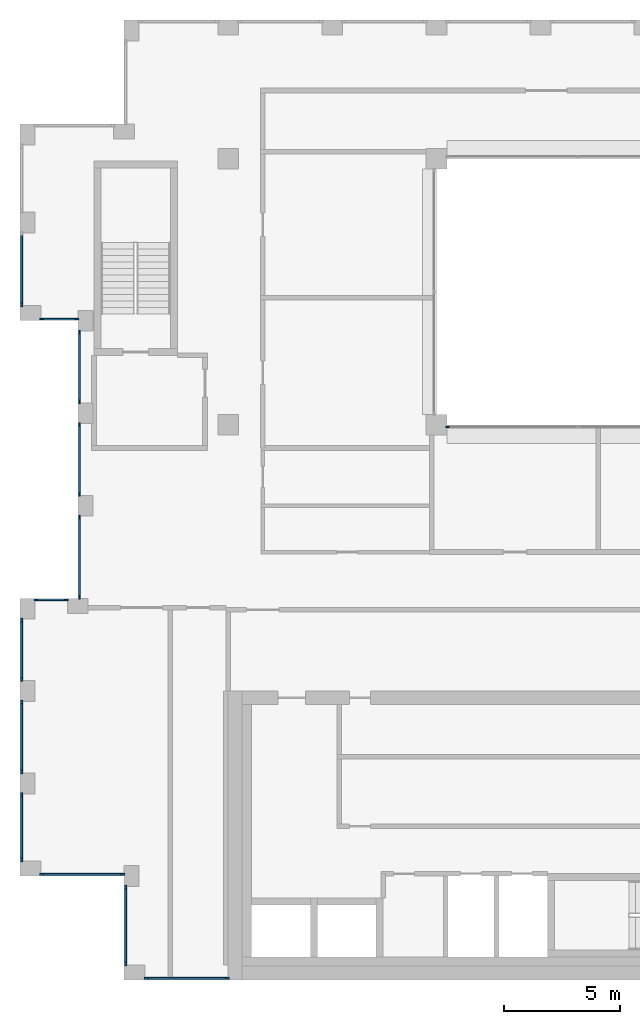
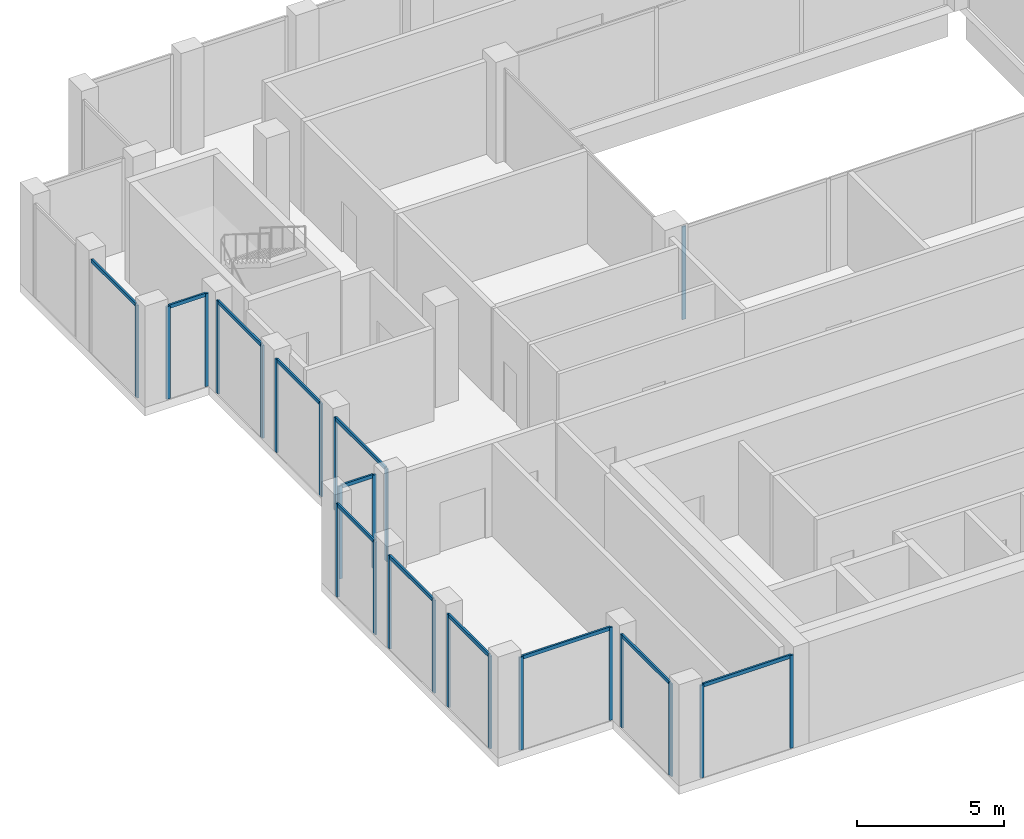
# One storey, part 2 of 15: 36 members, 13 elements without a shape of their own.
"""IFC4 building model written with IfcOpenShell, lengths in metres."""

from ifc_helpers import new_model, si_unit, direction, frame, origin, origin_2d, place, context, subcontext, project, spatial, rectangle, extrude, material, layer, layer_set, material_profile, profile_set, type_object, element, aggregate, save


model = new_model("IFC4")

# Units and contexts
model_context = context("Model", 3, precision=1e-05, world=origin(), true_north=direction((0.0, 1.0)))
body_context = subcontext(model_context, "Body", "Model", "MODEL_VIEW")
ifc_project = project(units=[si_unit("LENGTHUNIT", "METRE"), si_unit("AREAUNIT", "SQUARE_METRE"), si_unit("VOLUMEUNIT", "CUBIC_METRE"), si_unit("PLANEANGLEUNIT", "RADIAN"), si_unit("MASSUNIT", "GRAM", prefix="KILO")], contexts=[model_context])

# Site, building, storey
site_placement = place(None, origin())
site = spatial("IfcSite", under=ifc_project, at=site_placement, CompositionType="ELEMENT")
building_placement = place(site_placement, origin())
building = spatial("IfcBuilding", under=site, at=building_placement, Name="Brigalow Station Residences", CompositionType="ELEMENT")
storey_placement = place(building_placement, frame((0.0, 0.0, 235.800048828125)))
storey = spatial("IfcBuildingStorey", under=building, at=storey_placement, Name="L68", CompositionType="ELEMENT", Elevation=235.800048828125)

# Curtain wall, member
ifc_material_1 = material(Name="Aluminium", Category="aluminium")
ifc_layer_1 = layer(ifc_material_1, 0.14990234375)
ifc_layer_set_1 = layer_set([ifc_layer_1], Name="ATRIUM FIRE-RATED GLAZING CURTAIN WALL")
curtain_wall_type_1 = type_object("IfcCurtainWallType", Name="ATRIUM FIRE-RATED GLAZING CURTAIN WALL", PredefinedType="NOTDEFINED", material=ifc_layer_set_1)
curtain_wall_1_placement = place(storey_placement, origin())
curtain_wall_1 = element("IfcCurtainWall", 1, at=curtain_wall_1_placement, inside=storey, type_object=curtain_wall_type_1, Name="L68/cw/atrium-S", PredefinedType="NOTDEFINED")
ifc_material_2 = material(Name="Aluminium", Category="aluminium")
ifc_material_profile_1 = material_profile(ifc_material_2, rectangle(XDim=0.06005859375, YDim=0.14990234375, at=origin_2d()), Name="ATRIUM FIRE-RATED GLAZING MULLION 60x150")
ifc_profile_set_1 = profile_set([ifc_material_profile_1], Name="Aluminium")
member_type_1 = type_object("IfcMemberType", Name="ATRIUM FIRE-RATED GLAZING MULLION 60x150", PredefinedType="MULLION", material=ifc_profile_set_1)
member_1_placement = place(storey_placement, frame((27.47998046875, 23.89990234375, 0.0), z_axis=(0.0, 0.0, 1.0), x_axis=(0.0, 1.0, 0.0)))
member_1 = element("IfcMember", 2, at=member_1_placement, type_object=member_type_1, Name="L68/cw/atrium-S/M00", PredefinedType="MULLION", context=body_context, shape_type="SweptSolid", body=[
    extrude(rectangle(XDim=0.06005859375, YDim=0.14990234375, at=origin_2d()), origin(), (0.0, 0.0, 1.0), 3.849853515625),
])
aggregate(curtain_wall_1, [member_1])

# Curtain wall, members
ifc_material_3 = material(Name="Aluminium", Category="aluminium")
ifc_layer_2 = layer(ifc_material_3, 0.14990234375)
ifc_layer_set_2 = layer_set([ifc_layer_2], Name="CROWN CURTAIN WALL")
curtain_wall_type_2 = type_object("IfcCurtainWallType", Name="CROWN CURTAIN WALL", PredefinedType="NOTDEFINED", material=ifc_layer_set_2)
curtain_wall_2_placement = place(storey_placement, origin())
curtain_wall_2 = element("IfcCurtainWall", 3, at=curtain_wall_2_placement, inside=storey, type_object=curtain_wall_type_2, Name="L68/cw/crown-W-L68-1-1", PredefinedType="NOTDEFINED")
ifc_material_4 = material(Name="Aluminium", Category="aluminium")
ifc_material_profile_2 = material_profile(ifc_material_4, rectangle(XDim=0.074951171875, YDim=0.14990234375, at=origin_2d()), Name="CROWN MULLION 75x150")
ifc_profile_set_2 = profile_set([ifc_material_profile_2], Name="Aluminium")
member_type_2 = type_object("IfcMemberType", Name="CROWN MULLION 75x150", PredefinedType="MULLION", material=ifc_profile_set_2)
member_2_placement = place(storey_placement, frame((14.4375, 0.074951171875, 0.0), z_axis=(0.0, 0.0, 1.0), x_axis=(0.0, 1.0, 0.0)))
member_2 = element("IfcMember", 4, at=member_2_placement, type_object=member_type_2, Name="L68/cw/crown-W-L68-1-1/M00", PredefinedType="MULLION", context=body_context, shape_type="SweptSolid", body=[
    extrude(rectangle(XDim=0.074951171875, YDim=0.14990234375, at=origin_2d()), origin(), (0.0, 0.0, 1.0), 3.849853515625),
])
member_3_placement = place(storey_placement, frame((17.96240234375, 0.074951171875, 0.0), z_axis=(0.0, 0.0, 1.0), x_axis=(0.0, 1.0, 0.0)))
member_3 = element("IfcMember", 5, at=member_3_placement, type_object=member_type_2, Name="L68/cw/crown-W-L68-1-1/M01", PredefinedType="MULLION", context=body_context, shape_type="SweptSolid", body=[
    extrude(rectangle(XDim=0.074951171875, YDim=0.14990234375, at=origin_2d()), origin(), (0.0, 0.0, 1.0), 3.849853515625),
])

# Curtain wall, member
curtain_wall_3_placement = place(storey_placement, origin())
curtain_wall_3 = element("IfcCurtainWall", 6, at=curtain_wall_3_placement, inside=storey, type_object=curtain_wall_type_2, Name="L68/cw/crown-W-L68-34-34", PredefinedType="NOTDEFINED")
member_4_placement = place(storey_placement, frame((9.074951171875, 29.1875, 0.0), z_axis=(0.0, 0.0, 1.0), x_axis=(1.0, 0.0, 0.0)))
member_4 = element("IfcMember", 7, at=member_4_placement, type_object=member_type_2, Name="L68/cw/crown-W-L68-34-34/M01", PredefinedType="MULLION", context=body_context, shape_type="SweptSolid", body=[
    extrude(rectangle(XDim=0.074951171875, YDim=0.14990234375, at=origin_2d()), origin(), (0.0, 0.0, 1.0), 3.849853515625),
])

# Curtain wall, members
curtain_wall_4_placement = place(storey_placement, origin())
curtain_wall_4 = element("IfcCurtainWall", 8, at=curtain_wall_4_placement, inside=storey, type_object=curtain_wall_type_2, Name="L68/cw/crown-W-L68-36-35", PredefinedType="NOTDEFINED")
member_5_placement = place(storey_placement, frame((9.9375, 28.574951171875, 0.0), z_axis=(0.0, 0.0, 1.0), x_axis=(0.0, 1.0, 0.0)))
member_5 = element("IfcMember", 9, at=member_5_placement, type_object=member_type_2, Name="L68/cw/crown-W-L68-36-35/M00", PredefinedType="MULLION", context=body_context, shape_type="SweptSolid", body=[
    extrude(rectangle(XDim=0.074951171875, YDim=0.14990234375, at=origin_2d()), origin(), (0.0, 0.0, 1.0), 3.849853515625),
])
member_6_placement = place(storey_placement, frame((11.46240234375, 28.574951171875, 0.0), z_axis=(0.0, 0.0, 1.0), x_axis=(0.0, 1.0, 0.0)))
member_6 = element("IfcMember", 10, at=member_6_placement, type_object=member_type_2, Name="L68/cw/crown-W-L68-36-35/M01", PredefinedType="MULLION", context=body_context, shape_type="SweptSolid", body=[
    extrude(rectangle(XDim=0.074951171875, YDim=0.14990234375, at=origin_2d()), origin(), (0.0, 0.0, 1.0), 3.849853515625),
])

curtain_wall_5_placement = place(storey_placement, origin())
curtain_wall_5 = element("IfcCurtainWall", 11, at=curtain_wall_5_placement, inside=storey, type_object=curtain_wall_type_2, Name="L68/cw/crown-W-L68-37-36", PredefinedType="NOTDEFINED")
member_7_placement = place(storey_placement, frame((11.574951171875, 28.012451171875, 0.0), z_axis=(0.0, 0.0, 1.0), x_axis=(1.0, 0.0, 0.0)))
member_7 = element("IfcMember", 12, at=member_7_placement, type_object=member_type_2, Name="L68/cw/crown-W-L68-37-36/M00", PredefinedType="MULLION", context=body_context, shape_type="SweptSolid", body=[
    extrude(rectangle(XDim=0.074951171875, YDim=0.14990234375, at=origin_2d()), origin(), (0.0, 0.0, 1.0), 3.849853515625),
])
member_8_placement = place(storey_placement, frame((11.574951171875, 24.987548828125, 0.0), z_axis=(0.0, 0.0, 1.0), x_axis=(1.0, 0.0, 0.0)))
member_8 = element("IfcMember", 13, at=member_8_placement, type_object=member_type_2, Name="L68/cw/crown-W-L68-37-36/M01", PredefinedType="MULLION", context=body_context, shape_type="SweptSolid", body=[
    extrude(rectangle(XDim=0.074951171875, YDim=0.14990234375, at=origin_2d()), origin(), (0.0, 0.0, 1.0), 3.849853515625),
])

curtain_wall_6_placement = place(storey_placement, origin())
curtain_wall_6 = element("IfcCurtainWall", 14, at=curtain_wall_6_placement, inside=storey, type_object=curtain_wall_type_2, Name="L68/cw/crown-W-L68-37-37", PredefinedType="NOTDEFINED")
member_9_placement = place(storey_placement, frame((11.574951171875, 24.012451171875, 0.0), z_axis=(0.0, 0.0, 1.0), x_axis=(1.0, 0.0, 0.0)))
member_9 = element("IfcMember", 15, at=member_9_placement, type_object=member_type_2, Name="L68/cw/crown-W-L68-37-37/M00", PredefinedType="MULLION", context=body_context, shape_type="SweptSolid", body=[
    extrude(rectangle(XDim=0.074951171875, YDim=0.14990234375, at=origin_2d()), origin(), (0.0, 0.0, 1.0), 3.849853515625),
])
member_10_placement = place(storey_placement, frame((11.574951171875, 20.987548828125, 0.0), z_axis=(0.0, 0.0, 1.0), x_axis=(1.0, 0.0, 0.0)))
member_10 = element("IfcMember", 16, at=member_10_placement, type_object=member_type_2, Name="L68/cw/crown-W-L68-37-37/M01", PredefinedType="MULLION", context=body_context, shape_type="SweptSolid", body=[
    extrude(rectangle(XDim=0.074951171875, YDim=0.14990234375, at=origin_2d()), origin(), (0.0, 0.0, 1.0), 3.849853515625),
])

curtain_wall_7_placement = place(storey_placement, origin())
curtain_wall_7 = element("IfcCurtainWall", 17, at=curtain_wall_7_placement, inside=storey, type_object=curtain_wall_type_2, Name="L68/cw/crown-W-L68-37-38", PredefinedType="NOTDEFINED")
member_11_placement = place(storey_placement, frame((11.574951171875, 20.012451171875, 0.0), z_axis=(0.0, 0.0, 1.0), x_axis=(1.0, 0.0, 0.0)))
member_11 = element("IfcMember", 18, at=member_11_placement, type_object=member_type_2, Name="L68/cw/crown-W-L68-37-38/M00", PredefinedType="MULLION", context=body_context, shape_type="SweptSolid", body=[
    extrude(rectangle(XDim=0.074951171875, YDim=0.14990234375, at=origin_2d()), origin(), (0.0, 0.0, 1.0), 3.849853515625),
])
member_12_placement = place(storey_placement, frame((11.574951171875, 16.53759765625, 0.0), z_axis=(0.0, 0.0, 1.0), x_axis=(1.0, 0.0, 0.0)))
member_12 = element("IfcMember", 19, at=member_12_placement, type_object=member_type_2, Name="L68/cw/crown-W-L68-37-38/M01", PredefinedType="MULLION", context=body_context, shape_type="SweptSolid", body=[
    extrude(rectangle(XDim=0.074951171875, YDim=0.14990234375, at=origin_2d()), origin(), (0.0, 0.0, 1.0), 3.849853515625),
])

curtain_wall_8_placement = place(storey_placement, origin())
curtain_wall_8 = element("IfcCurtainWall", 20, at=curtain_wall_8_placement, inside=storey, type_object=curtain_wall_type_2, Name="L68/cw/crown-W-L68-40-39", PredefinedType="NOTDEFINED")
member_13_placement = place(storey_placement, frame((11.012451171875, 16.425048828125, 0.0), z_axis=(0.0, 0.0, 1.0), x_axis=(0.0, -1.0, 0.0)))
member_13 = element("IfcMember", 21, at=member_13_placement, type_object=member_type_2, Name="L68/cw/crown-W-L68-40-39/M00", PredefinedType="MULLION", context=body_context, shape_type="SweptSolid", body=[
    extrude(rectangle(XDim=0.074951171875, YDim=0.14990234375, at=origin_2d()), origin(), (0.0, 0.0, 1.0), 3.849853515625),
])
member_14_placement = place(storey_placement, frame((9.6875, 16.425048828125, 0.0), z_axis=(0.0, 0.0, 1.0), x_axis=(0.0, -1.0, 0.0)))
member_14 = element("IfcMember", 22, at=member_14_placement, type_object=member_type_2, Name="L68/cw/crown-W-L68-40-39/M01", PredefinedType="MULLION", context=body_context, shape_type="SweptSolid", body=[
    extrude(rectangle(XDim=0.074951171875, YDim=0.14990234375, at=origin_2d()), origin(), (0.0, 0.0, 1.0), 3.849853515625),
])

curtain_wall_9_placement = place(storey_placement, origin())
curtain_wall_9 = element("IfcCurtainWall", 23, at=curtain_wall_9_placement, inside=storey, type_object=curtain_wall_type_2, Name="L68/cw/crown-W-L68-41-40", PredefinedType="NOTDEFINED")
member_15_placement = place(storey_placement, frame((9.074951171875, 15.5625, 0.0), z_axis=(0.0, 0.0, 1.0), x_axis=(1.0, 0.0, 0.0)))
member_15 = element("IfcMember", 24, at=member_15_placement, type_object=member_type_2, Name="L68/cw/crown-W-L68-41-40/M00", PredefinedType="MULLION", context=body_context, shape_type="SweptSolid", body=[
    extrude(rectangle(XDim=0.074951171875, YDim=0.14990234375, at=origin_2d()), origin(), (0.0, 0.0, 1.0), 3.849853515625),
])
member_16_placement = place(storey_placement, frame((9.074951171875, 12.987548828125, 0.0), z_axis=(0.0, 0.0, 1.0), x_axis=(1.0, 0.0, 0.0)))
member_16 = element("IfcMember", 25, at=member_16_placement, type_object=member_type_2, Name="L68/cw/crown-W-L68-41-40/M01", PredefinedType="MULLION", context=body_context, shape_type="SweptSolid", body=[
    extrude(rectangle(XDim=0.074951171875, YDim=0.14990234375, at=origin_2d()), origin(), (0.0, 0.0, 1.0), 3.849853515625),
])

curtain_wall_10_placement = place(storey_placement, origin())
curtain_wall_10 = element("IfcCurtainWall", 26, at=curtain_wall_10_placement, inside=storey, type_object=curtain_wall_type_2, Name="L68/cw/crown-W-L68-41-41", PredefinedType="NOTDEFINED")
member_17_placement = place(storey_placement, frame((9.074951171875, 12.012451171875, 0.0), z_axis=(0.0, 0.0, 1.0), x_axis=(1.0, 0.0, 0.0)))
member_17 = element("IfcMember", 27, at=member_17_placement, type_object=member_type_2, Name="L68/cw/crown-W-L68-41-41/M00", PredefinedType="MULLION", context=body_context, shape_type="SweptSolid", body=[
    extrude(rectangle(XDim=0.074951171875, YDim=0.14990234375, at=origin_2d()), origin(), (0.0, 0.0, 1.0), 3.849853515625),
])
member_18_placement = place(storey_placement, frame((9.074951171875, 8.987548828125, 0.0), z_axis=(0.0, 0.0, 1.0), x_axis=(1.0, 0.0, 0.0)))
member_18 = element("IfcMember", 28, at=member_18_placement, type_object=member_type_2, Name="L68/cw/crown-W-L68-41-41/M01", PredefinedType="MULLION", context=body_context, shape_type="SweptSolid", body=[
    extrude(rectangle(XDim=0.074951171875, YDim=0.14990234375, at=origin_2d()), origin(), (0.0, 0.0, 1.0), 3.849853515625),
])

curtain_wall_11_placement = place(storey_placement, origin())
curtain_wall_11 = element("IfcCurtainWall", 29, at=curtain_wall_11_placement, inside=storey, type_object=curtain_wall_type_2, Name="L68/cw/crown-W-L68-41-42", PredefinedType="NOTDEFINED")
member_19_placement = place(storey_placement, frame((9.074951171875, 8.012451171875, 0.0), z_axis=(0.0, 0.0, 1.0), x_axis=(1.0, 0.0, 0.0)))
member_19 = element("IfcMember", 30, at=member_19_placement, type_object=member_type_2, Name="L68/cw/crown-W-L68-41-42/M00", PredefinedType="MULLION", context=body_context, shape_type="SweptSolid", body=[
    extrude(rectangle(XDim=0.074951171875, YDim=0.14990234375, at=origin_2d()), origin(), (0.0, 0.0, 1.0), 3.849853515625),
])
member_20_placement = place(storey_placement, frame((9.074951171875, 5.1875, 0.0), z_axis=(0.0, 0.0, 1.0), x_axis=(1.0, 0.0, 0.0)))
member_20 = element("IfcMember", 31, at=member_20_placement, type_object=member_type_2, Name="L68/cw/crown-W-L68-41-42/M01", PredefinedType="MULLION", context=body_context, shape_type="SweptSolid", body=[
    extrude(rectangle(XDim=0.074951171875, YDim=0.14990234375, at=origin_2d()), origin(), (0.0, 0.0, 1.0), 3.849853515625),
])

curtain_wall_12_placement = place(storey_placement, origin())
curtain_wall_12 = element("IfcCurtainWall", 32, at=curtain_wall_12_placement, inside=storey, type_object=curtain_wall_type_2, Name="L68/cw/crown-W-L68-44-43", PredefinedType="NOTDEFINED")
member_21_placement = place(storey_placement, frame((9.9375, 4.574951171875, 0.0), z_axis=(0.0, 0.0, 1.0), x_axis=(0.0, 1.0, 0.0)))
member_21 = element("IfcMember", 33, at=member_21_placement, type_object=member_type_2, Name="L68/cw/crown-W-L68-44-43/M00", PredefinedType="MULLION", context=body_context, shape_type="SweptSolid", body=[
    extrude(rectangle(XDim=0.074951171875, YDim=0.14990234375, at=origin_2d()), origin(), (0.0, 0.0, 1.0), 3.849853515625),
])
member_22_placement = place(storey_placement, frame((13.46240234375, 4.574951171875, 0.0), z_axis=(0.0, 0.0, 1.0), x_axis=(0.0, 1.0, 0.0)))
member_22 = element("IfcMember", 34, at=member_22_placement, type_object=member_type_2, Name="L68/cw/crown-W-L68-44-43/M01", PredefinedType="MULLION", context=body_context, shape_type="SweptSolid", body=[
    extrude(rectangle(XDim=0.074951171875, YDim=0.14990234375, at=origin_2d()), origin(), (0.0, 0.0, 1.0), 3.849853515625),
])

curtain_wall_13_placement = place(storey_placement, origin())
curtain_wall_13 = element("IfcCurtainWall", 35, at=curtain_wall_13_placement, inside=storey, type_object=curtain_wall_type_2, Name="L68/cw/crown-W-L68-45-44", PredefinedType="NOTDEFINED")
member_23_placement = place(storey_placement, frame((13.574951171875, 4.012451171875, 0.0), z_axis=(0.0, 0.0, 1.0), x_axis=(1.0, 0.0, 0.0)))
member_23 = element("IfcMember", 36, at=member_23_placement, type_object=member_type_2, Name="L68/cw/crown-W-L68-45-44/M00", PredefinedType="MULLION", context=body_context, shape_type="SweptSolid", body=[
    extrude(rectangle(XDim=0.074951171875, YDim=0.14990234375, at=origin_2d()), origin(), (0.0, 0.0, 1.0), 3.849853515625),
])
member_24_placement = place(storey_placement, frame((13.574951171875, 0.6875, 0.0), z_axis=(0.0, 0.0, 1.0), x_axis=(1.0, 0.0, 0.0)))
member_24 = element("IfcMember", 37, at=member_24_placement, type_object=member_type_2, Name="L68/cw/crown-W-L68-45-44/M01", PredefinedType="MULLION", context=body_context, shape_type="SweptSolid", body=[
    extrude(rectangle(XDim=0.074951171875, YDim=0.14990234375, at=origin_2d()), origin(), (0.0, 0.0, 1.0), 3.849853515625),
])

# Member
ifc_material_5 = material(Name="Aluminium", Category="aluminium")
ifc_material_profile_3 = material_profile(ifc_material_5, rectangle(XDim=0.074951171875, YDim=0.14990234375, at=origin_2d()), Name="CROWN TRANSOM 75x150")
ifc_profile_set_3 = profile_set([ifc_material_profile_3], Name="Aluminium")
member_type_3 = type_object("IfcMemberType", Name="CROWN TRANSOM 75x150", PredefinedType="USERDEFINED", material=ifc_profile_set_3)
member_25_placement = place(storey_placement, frame((14.47509765625, 0.074951171875, 3.8125), z_axis=(1.0, 0.0, 0.0), x_axis=(0.0, 1.0, 0.0)))
member_25 = element("IfcMember", 38, at=member_25_placement, type_object=member_type_3, Name="L68/cw/crown-W-L68-1-1/T00-00", ObjectType="TRANSOM", PredefinedType="USERDEFINED", context=body_context, shape_type="SweptSolid", body=[
    extrude(rectangle(XDim=0.074951171875, YDim=0.14990234375, at=origin_2d()), origin(), (0.0, 0.0, 1.0), 3.449951171875),
])

aggregate(curtain_wall_2, [member_2, member_3, member_25])

member_26_placement = place(storey_placement, frame((9.074951171875, 32.22509765625, 3.8125), z_axis=(0.0, -1.0, 0.0), x_axis=(1.0, 0.0, 0.0)))
member_26 = element("IfcMember", 39, at=member_26_placement, type_object=member_type_3, Name="L68/cw/crown-W-L68-34-34/T00-00", ObjectType="TRANSOM", PredefinedType="USERDEFINED", context=body_context, shape_type="SweptSolid", body=[
    extrude(rectangle(XDim=0.074951171875, YDim=0.14990234375, at=origin_2d()), origin(), (0.0, 0.0, 1.0), 3.0),
])

aggregate(curtain_wall_3, [member_4, member_26])

member_27_placement = place(storey_placement, frame((9.97509765625, 28.574951171875, 3.8125), z_axis=(1.0, 0.0, 0.0), x_axis=(0.0, 1.0, 0.0)))
member_27 = element("IfcMember", 40, at=member_27_placement, type_object=member_type_3, Name="L68/cw/crown-W-L68-36-35/T00-00", ObjectType="TRANSOM", PredefinedType="USERDEFINED", context=body_context, shape_type="SweptSolid", body=[
    extrude(rectangle(XDim=0.074951171875, YDim=0.14990234375, at=origin_2d()), origin(), (0.0, 0.0, 1.0), 1.449951171875),
])

aggregate(curtain_wall_4, [member_5, member_6, member_27])

member_28_placement = place(storey_placement, frame((11.574951171875, 27.97509765625, 3.8125), z_axis=(0.0, -1.0, 0.0), x_axis=(1.0, 0.0, 0.0)))
member_28 = element("IfcMember", 41, at=member_28_placement, type_object=member_type_3, Name="L68/cw/crown-W-L68-37-36/T00-00", ObjectType="TRANSOM", PredefinedType="USERDEFINED", context=body_context, shape_type="SweptSolid", body=[
    extrude(rectangle(XDim=0.074951171875, YDim=0.14990234375, at=origin_2d()), origin(), (0.0, 0.0, 1.0), 2.9501953125),
])

aggregate(curtain_wall_5, [member_7, member_8, member_28])

member_29_placement = place(storey_placement, frame((11.574951171875, 23.97509765625, 3.8125), z_axis=(0.0, -1.0, 0.0), x_axis=(1.0, 0.0, 0.0)))
member_29 = element("IfcMember", 42, at=member_29_placement, type_object=member_type_3, Name="L68/cw/crown-W-L68-37-37/T00-00", ObjectType="TRANSOM", PredefinedType="USERDEFINED", context=body_context, shape_type="SweptSolid", body=[
    extrude(rectangle(XDim=0.074951171875, YDim=0.14990234375, at=origin_2d()), origin(), (0.0, 0.0, 1.0), 2.9501953125),
])

aggregate(curtain_wall_6, [member_9, member_10, member_29])

member_30_placement = place(storey_placement, frame((11.574951171875, 19.97509765625, 3.8125), z_axis=(0.0, -1.0, 0.0), x_axis=(1.0, 0.0, 0.0)))
member_30 = element("IfcMember", 43, at=member_30_placement, type_object=member_type_3, Name="L68/cw/crown-W-L68-37-38/T00-00", ObjectType="TRANSOM", PredefinedType="USERDEFINED", context=body_context, shape_type="SweptSolid", body=[
    extrude(rectangle(XDim=0.074951171875, YDim=0.14990234375, at=origin_2d()), origin(), (0.0, 0.0, 1.0), 3.400146484375),
])

aggregate(curtain_wall_7, [member_11, member_12, member_30])

member_31_placement = place(storey_placement, frame((10.97509765625, 16.425048828125, 3.8125), z_axis=(-1.0, 0.0, 0.0), x_axis=(0.0, -1.0, 0.0)))
member_31 = element("IfcMember", 44, at=member_31_placement, type_object=member_type_3, Name="L68/cw/crown-W-L68-40-39/T00-00", ObjectType="TRANSOM", PredefinedType="USERDEFINED", context=body_context, shape_type="SweptSolid", body=[
    extrude(rectangle(XDim=0.074951171875, YDim=0.14990234375, at=origin_2d()), origin(), (0.0, 0.0, 1.0), 1.25),
])

aggregate(curtain_wall_8, [member_13, member_14, member_31])

member_32_placement = place(storey_placement, frame((9.074951171875, 15.52490234375, 3.8125), z_axis=(0.0, -1.0, 0.0), x_axis=(1.0, 0.0, 0.0)))
member_32 = element("IfcMember", 45, at=member_32_placement, type_object=member_type_3, Name="L68/cw/crown-W-L68-41-40/T00-00", ObjectType="TRANSOM", PredefinedType="USERDEFINED", context=body_context, shape_type="SweptSolid", body=[
    extrude(rectangle(XDim=0.074951171875, YDim=0.14990234375, at=origin_2d()), origin(), (0.0, 0.0, 1.0), 2.5),
])

aggregate(curtain_wall_9, [member_15, member_16, member_32])

member_33_placement = place(storey_placement, frame((9.074951171875, 11.97509765625, 3.8125), z_axis=(0.0, -1.0, 0.0), x_axis=(1.0, 0.0, 0.0)))
member_33 = element("IfcMember", 46, at=member_33_placement, type_object=member_type_3, Name="L68/cw/crown-W-L68-41-41/T00-00", ObjectType="TRANSOM", PredefinedType="USERDEFINED", context=body_context, shape_type="SweptSolid", body=[
    extrude(rectangle(XDim=0.074951171875, YDim=0.14990234375, at=origin_2d()), origin(), (0.0, 0.0, 1.0), 2.9501953125),
])

aggregate(curtain_wall_10, [member_17, member_18, member_33])

member_34_placement = place(storey_placement, frame((9.074951171875, 7.97509765625, 3.8125), z_axis=(0.0, -1.0, 0.0), x_axis=(1.0, 0.0, 0.0)))
member_34 = element("IfcMember", 47, at=member_34_placement, type_object=member_type_3, Name="L68/cw/crown-W-L68-41-42/T00-00", ObjectType="TRANSOM", PredefinedType="USERDEFINED", context=body_context, shape_type="SweptSolid", body=[
    extrude(rectangle(XDim=0.074951171875, YDim=0.14990234375, at=origin_2d()), origin(), (0.0, 0.0, 1.0), 2.75),
])

aggregate(curtain_wall_11, [member_19, member_20, member_34])

member_35_placement = place(storey_placement, frame((9.97509765625, 4.574951171875, 3.8125), z_axis=(1.0, 0.0, 0.0), x_axis=(0.0, 1.0, 0.0)))
member_35 = element("IfcMember", 48, at=member_35_placement, type_object=member_type_3, Name="L68/cw/crown-W-L68-44-43/T00-00", ObjectType="TRANSOM", PredefinedType="USERDEFINED", context=body_context, shape_type="SweptSolid", body=[
    extrude(rectangle(XDim=0.074951171875, YDim=0.14990234375, at=origin_2d()), origin(), (0.0, 0.0, 1.0), 3.449951171875),
])

aggregate(curtain_wall_12, [member_21, member_22, member_35])

member_36_placement = place(storey_placement, frame((13.574951171875, 3.97509765625, 3.8125), z_axis=(0.0, -1.0, 0.0), x_axis=(1.0, 0.0, 0.0)))
member_36 = element("IfcMember", 49, at=member_36_placement, type_object=member_type_3, Name="L68/cw/crown-W-L68-45-44/T00-00", ObjectType="TRANSOM", PredefinedType="USERDEFINED", context=body_context, shape_type="SweptSolid", body=[
    extrude(rectangle(XDim=0.074951171875, YDim=0.14990234375, at=origin_2d()), origin(), (0.0, 0.0, 1.0), 3.25),
])

aggregate(curtain_wall_13, [member_23, member_24, member_36])

save(model, "model.ifc")
